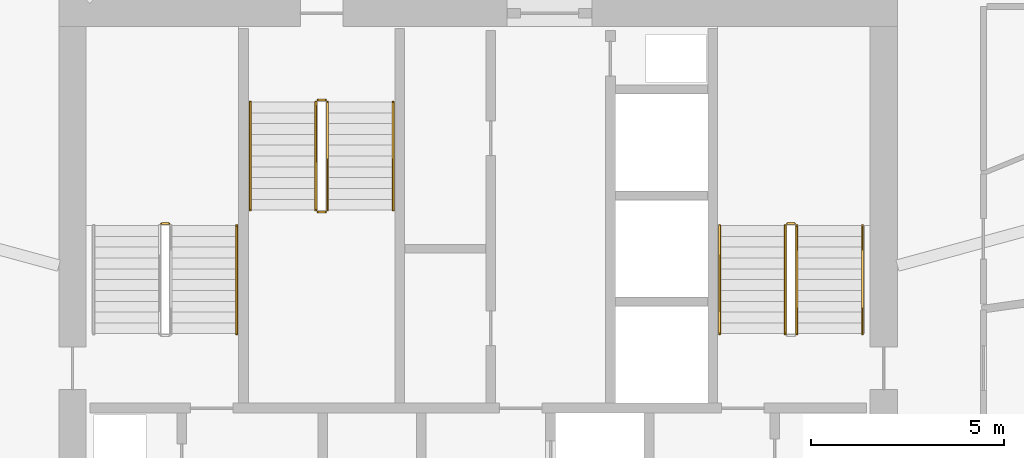
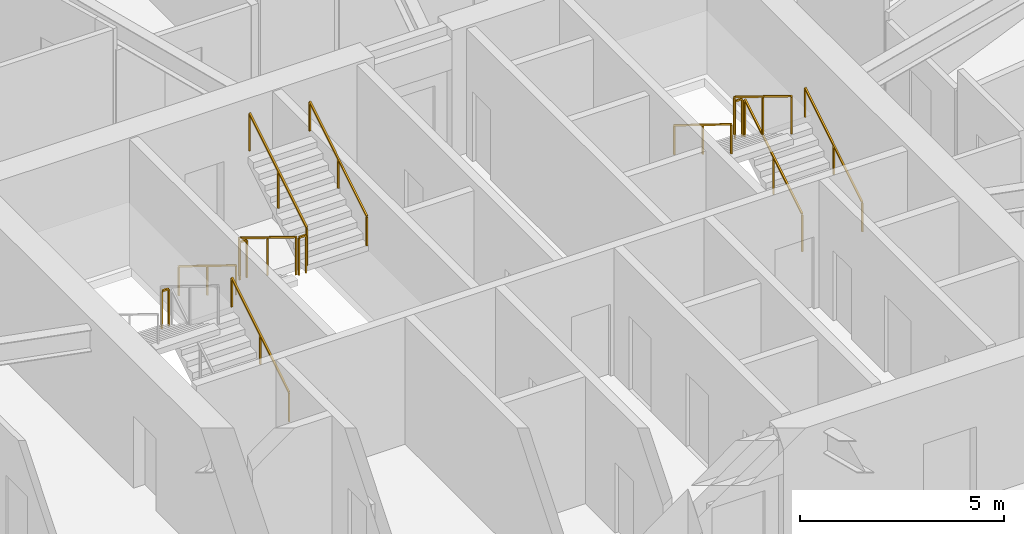
# One storey, part 28 of 28: 13 railings.
"""IFC4 building model written with IfcOpenShell, lengths in metres."""

import ifcopenshell
import ifcopenshell.guid

model = None  # the IFC model being written
_history = None  # IfcOwnerHistory: only IFC2X3 demands one
_inside = {}  # id of a spatial element -> (the spatial element, [elements in it])
_under = {}  # id of a project, library or spatial element -> (it, [spatial elements below it])
_declared = {}  # id of a project -> (the project, [libraries it declares])
_typed = {}  # id of a type object -> (the type object, [elements of that type])
_made_of = {}  # id of a material, layer set ... -> (it, [elements and type objects made of it])


def new_model(schema):
    """Start an empty IFC model of exactly this schema.

    Asked for "IFC4X3", IfcOpenShell would pick the latest addendum, in which some entities
    have other attributes; the version numbers below select the first issue.
    IFC2X3 requires an IfcOwnerHistory on every rooted entity: one is made here for all.
    """
    global model, _history
    if schema == "IFC4X3":
        model = ifcopenshell.file(schema_version=(4, 3, 0, 0))
    else:
        model = ifcopenshell.file(schema=schema)
    _inside.clear()
    _under.clear()
    _declared.clear()
    _typed.clear()
    _made_of.clear()
    _history = None
    if model.schema == "IFC2X3":
        org = make("IfcOrganization", Name="unknown")
        user = make(
            "IfcPersonAndOrganization",
            ThePerson=make("IfcPerson", FamilyName="unknown"),
            TheOrganization=org,
        )
        app = make(
            "IfcApplication",
            ApplicationDeveloper=org,
            Version="unknown",
            ApplicationFullName="unknown",
            ApplicationIdentifier="unknown",
        )
        _history = make(
            "IfcOwnerHistory",
            OwningUser=user,
            OwningApplication=app,
            ChangeAction="ADDED",
            CreationDate=0,
        )
    return model


def make(cls, **values):
    """One entity of the class cls with the attributes given. An attribute that is None is left unset."""
    return model.create_entity(
        cls, **{name: value for name, value in values.items() if value is not None}
    )


def rooted(cls, **values):
    """An entity with a GlobalId (a new one), such as an element, a storey or a relation."""
    return make(cls, GlobalId=ifcopenshell.guid.new(), OwnerHistory=_history, **values)


def si_unit(unit_type, name, prefix=None):
    """IfcSIUnit, for example si_unit("LENGTHUNIT", "METRE", prefix="MILLI")."""
    return make("IfcSIUnit", UnitType=unit_type, Prefix=prefix, Name=name)


def assignment(units):
    """IfcUnitAssignment: the units of a project."""
    return None if units is None else make("IfcUnitAssignment", Units=units)


def point(xyz):
    """IfcCartesianPoint."""
    return None if xyz is None else make("IfcCartesianPoint", Coordinates=xyz)


def direction(xyz):
    """IfcDirection."""
    return None if xyz is None else make("IfcDirection", DirectionRatios=xyz)


def frame(location, z_axis=None, x_axis=None):
    """IfcAxis2Placement3D, a coordinate frame: its origin and axes. An axis left out is left unset."""
    return make(
        "IfcAxis2Placement3D",
        Location=point(location),
        Axis=direction(z_axis),
        RefDirection=direction(x_axis),
    )


def frame_2d(location, x_axis=None):
    """IfcAxis2Placement2D, a coordinate frame in the plane: its origin and x axis."""
    return make(
        "IfcAxis2Placement2D", Location=point(location), RefDirection=direction(x_axis)
    )


def origin():
    """The frame at (0, 0, 0) with its axes left unset."""
    return frame((0.0, 0.0, 0.0))


def origin_2d():
    """The frame at (0, 0) in the plane with its x axis left unset."""
    return frame_2d((0.0, 0.0))


def place(relative_to, where):
    """IfcLocalPlacement: puts the frame where relative to a parent placement (None: the world)."""
    return make(
        "IfcLocalPlacement", PlacementRelTo=relative_to, RelativePlacement=where
    )


def context(
    kind, dimensions, precision=None, world=None, true_north=None, identifier=None
):
    """IfcGeometricRepresentationContext, for example the 3D "Model" context."""
    return make(
        "IfcGeometricRepresentationContext",
        ContextIdentifier=identifier,
        ContextType=kind,
        CoordinateSpaceDimension=dimensions,
        Precision=precision,
        WorldCoordinateSystem=world,
        TrueNorth=true_north,
    )


def subcontext(parent, identifier, kind, view, scale=None):
    """IfcGeometricRepresentationSubContext, for example "Body" below "Model"."""
    return make(
        "IfcGeometricRepresentationSubContext",
        ContextIdentifier=identifier,
        ContextType=kind,
        ParentContext=parent,
        TargetScale=scale,
        TargetView=view,
    )


def project(units=None, contexts=None):
    """IfcProject with its units and contexts."""
    return rooted(
        "IfcProject",
        Name="project",
        RepresentationContexts=contexts,
        UnitsInContext=assignment(units),
    )


def spatial(cls, under=None, at=None, **own):
    """A site, building, storey or space (cls), placed at a placement, below another one or the project."""
    s = rooted(cls, ObjectPlacement=at, **own)
    if under is not None:
        _under.setdefault(under.id(), (under, []))[1].append(s)
    return s


def profile(cls, at=None, kind="AREA", **sizes):
    """A parametric profile (cls). Its sizes go by their IFC names, for example OverallWidth=200.0."""
    return make(cls, ProfileType=kind, Position=at, **sizes)


def rectangle(**sizes):
    """IfcRectangleProfileDef."""
    return profile("IfcRectangleProfileDef", **sizes)


def extrude(swept, where, along, depth):
    """IfcExtrudedAreaSolid: the profile swept, set in the frame where, extruded along a direction by depth."""
    return make(
        "IfcExtrudedAreaSolid",
        SweptArea=swept,
        Position=where,
        ExtrudedDirection=direction(along),
        Depth=depth,
    )


def shape(context_of_items, identifier, shape_type, items):
    """IfcShapeRepresentation: the items that make up one representation, for example the "Body"."""
    return make(
        "IfcShapeRepresentation",
        ContextOfItems=context_of_items,
        RepresentationIdentifier=identifier,
        RepresentationType=shape_type,
        Items=items,
    )


def material(Name=None, Category=None):
    """IfcMaterial."""
    return make("IfcMaterial", Name=Name, Category=Category)


def made_of(thing, what):
    """Note that an element or type object is made of a material, layer set ...; save() writes the relation."""
    if what is not None:
        _made_of.setdefault(what.id(), (what, []))[1].append(thing)
    return thing


def type_object(cls, material=None, **own):
    """A type object (cls), such as IfcWallType, which elements share."""
    return made_of(rooted(cls, **own), material)


def element(
    cls,
    number,
    at=None,
    inside=None,
    cuts=None,
    type_object=None,
    material=None,
    context=None,
    identifier="Body",
    shape_type=None,
    held_by="IfcProductDefinitionShape",
    body=None,
    shapes=None,
    **own,
):
    """One element of the class cls, such as IfcWall. Its Tag is "e" and its number.

    at: its placement. inside: the storey or other place that contains it. cuts: it is an
    opening in that element (IfcRelVoidsElement). A single representation is given by context,
    identifier, shape_type and body (its items); several are given by shapes. held_by: the class
    of the entity that holds the representations. save() writes the other relations.
    """
    e = rooted(cls, Tag="e%d" % number, ObjectPlacement=at, **own)
    if body is not None:
        shapes = [shape(context, identifier, shape_type, body)]
    if shapes is not None:
        e.Representation = make(held_by, Representations=shapes)
    if inside is not None:
        _inside.setdefault(inside.id(), (inside, []))[1].append(e)
    if cuts is not None:
        rooted(
            "IfcRelVoidsElement", RelatingBuildingElement=cuts, RelatedOpeningElement=e
        )
    if type_object is not None:
        _typed.setdefault(type_object.id(), (type_object, []))[1].append(e)
    return made_of(e, material)


def aggregate(whole, parts):
    """IfcRelAggregates: a whole, such as a stair, and the parts it consists of."""
    return rooted("IfcRelAggregates", RelatingObject=whole, RelatedObjects=parts)


def save(model, path):
    """Write the relations noted so far, then the file.

    IfcRelAggregates (storeys below a building ...), IfcRelContainedInSpatialStructure (elements
    in a storey), IfcRelDefinesByType, IfcRelAssociatesMaterial and IfcRelDeclares: one each for
    every whole, place, type object, material and project.
    """
    for whole, parts in _under.values():
        aggregate(whole, parts)
    for where, things in _inside.values():
        rooted(
            "IfcRelContainedInSpatialStructure",
            RelatedElements=things,
            RelatingStructure=where,
        )
    for kind, things in _typed.values():
        rooted("IfcRelDefinesByType", RelatedObjects=things, RelatingType=kind)
    for what, things in _made_of.values():
        rooted("IfcRelAssociatesMaterial", RelatedObjects=things, RelatingMaterial=what)
    for by, libraries in _declared.values():
        rooted("IfcRelDeclares", RelatingContext=by, RelatedDefinitions=libraries)
    model.write(path)


model = new_model("IFC4")

# Units and contexts
model_context = context("Model", 3, precision=1e-05, world=origin(), true_north=direction((0.0, 1.0)))
body_context = subcontext(model_context, "Body", "Model", "MODEL_VIEW")
ifc_project = project(units=[si_unit("LENGTHUNIT", "METRE"), si_unit("AREAUNIT", "SQUARE_METRE"), si_unit("VOLUMEUNIT", "CUBIC_METRE"), si_unit("PLANEANGLEUNIT", "RADIAN"), si_unit("MASSUNIT", "GRAM", prefix="KILO")], contexts=[model_context])

# Site, building, storey
site_placement = place(None, origin())
site = spatial("IfcSite", under=ifc_project, at=site_placement, CompositionType="ELEMENT")
building_placement = place(site_placement, origin())
building = spatial("IfcBuilding", under=site, at=building_placement, Name="Zuhravey Tower", CompositionType="ELEMENT")
storey_placement = place(building_placement, frame((0.0, 0.0, 154.199951171875)))
storey = spatial("IfcBuildingStorey", under=building, at=storey_placement, Name="L38", CompositionType="ELEMENT", Elevation=154.199951171875)

# Railings
ifc_material_1 = material(Name="Brushed stainless steel", Category="steel")
railing_type_1 = type_object("IfcRailingType", Name="Stair Wall Handrail 900", PredefinedType="HANDRAIL", material=ifc_material_1)
for number, where, name in (
    (1, (29.75, 33.199951171875, 0.1728515625), "L38 ST1 stair handrail 1"),
    (2, (45.949951171875, 33.199951171875, 0.1728515625), "L38 ST2 stair handrail 1"),
):
    element("IfcRailing", number, at=place(storey_placement, frame(where)), inside=storey, type_object=railing_type_1, Name=name, PredefinedType="HANDRAIL", context=body_context, shape_type="SweptSolid", body=[
        extrude(rectangle(XDim=0.048095703125, YDim=0.048095703125, at=origin_2d()), frame((0.0, 0.001708984375, 0.876953125), z_axis=(0.0, 0.851089632645, 0.525020415988), x_axis=(-1.0, 0.0, 0.0)), (0.0, 0.0, 1.0), 3.285888671875),
        extrude(rectangle(XDim=0.0419921875, YDim=0.0419921875, at=origin_2d()), origin(), (0.0, 0.0, 1.0), 0.849853515625),
        extrude(rectangle(XDim=0.0419921875, YDim=0.0419921875, at=origin_2d()), frame((0.0, 1.39990234375, 0.86376953125)), (0.0, 0.0, 1.0), 0.849853515625),
        extrude(rectangle(XDim=0.0419921875, YDim=0.0419921875, at=origin_2d()), frame((0.0, 2.800048828125, 1.727294921875)), (0.0, 0.0, 1.0), 0.849853515625),
    ])
for number, where, name in (
    (3, (42.25, 36.0, 2.07275390625), "L38 ST2 stair handrail 2"),
    (4, (30.10009765625, 39.199951171875, 0.1728515625), "L38 ST3 stair handrail 1"),
):
    element("IfcRailing", number, at=place(storey_placement, frame(where)), inside=storey, type_object=railing_type_1, Name=name, PredefinedType="HANDRAIL", context=body_context, shape_type="SweptSolid", body=[
        extrude(rectangle(XDim=0.048095703125, YDim=0.048095703125, at=origin_2d()), frame((0.0, -0.001708984375, 0.876953125), z_axis=(0.0, -0.851089632645, 0.525020415988), x_axis=(1.0, 0.0, 0.0)), (0.0, 0.0, 1.0), 3.285888671875),
        extrude(rectangle(XDim=0.0419921875, YDim=0.0419921875, at=origin_2d()), origin(), (0.0, 0.0, 1.0), 0.849853515625),
        extrude(rectangle(XDim=0.0419921875, YDim=0.0419921875, at=origin_2d()), frame((0.0, -1.39990234375, 0.86376953125)), (0.0, 0.0, 1.0), 0.849853515625),
        extrude(rectangle(XDim=0.0419921875, YDim=0.0419921875, at=origin_2d()), frame((0.0, -2.800048828125, 1.727294921875)), (0.0, 0.0, 1.0), 0.849853515625),
    ])
railing_1_placement = place(storey_placement, frame((33.800048828125, 36.39990234375, 2.07275390625)))
element("IfcRailing", 5, at=railing_1_placement, inside=storey, type_object=railing_type_1, Name="L38 ST3 stair handrail 2", PredefinedType="HANDRAIL", context=body_context, shape_type="SweptSolid", body=[
    extrude(rectangle(XDim=0.048095703125, YDim=0.048095703125, at=origin_2d()), frame((0.0, 0.001708984375, 0.876953125), z_axis=(0.0, 0.851089632645, 0.525020415988), x_axis=(-1.0, 0.0, 0.0)), (0.0, 0.0, 1.0), 3.285888671875),
    extrude(rectangle(XDim=0.0419921875, YDim=0.0419921875, at=origin_2d()), origin(), (0.0, 0.0, 1.0), 0.849853515625),
    extrude(rectangle(XDim=0.0419921875, YDim=0.0419921875, at=origin_2d()), frame((0.0, 1.39990234375, 0.86376953125)), (0.0, 0.0, 1.0), 0.849853515625),
    extrude(rectangle(XDim=0.0419921875, YDim=0.0419921875, at=origin_2d()), frame((0.0, 2.800048828125, 1.727294921875)), (0.0, 0.0, 1.0), 0.849853515625),
])
ifc_material_2 = material(Name="Painted tubular steel", Category="steel")
railing_type_2 = type_object("IfcRailingType", Name="Stair Well Guardrail 1150", PredefinedType="GUARDRAIL", material=ifc_material_2)
railing_2_placement = place(storey_placement, frame((28.0, 36.050048828125, 1.900146484375)))
element("IfcRailing", 6, at=railing_2_placement, inside=storey, type_object=railing_type_2, Name="L38 ST1 stair guard 2", PredefinedType="GUARDRAIL", context=body_context, shape_type="SweptSolid", body=[
    extrude(rectangle(XDim=0.048095703125, YDim=0.048095703125, at=origin_2d()), frame((-0.001953125, 0.0, 1.1259765625), z_axis=(-1.0, 0.0, 0.0), x_axis=(0.0, -1.0, 0.0)), (0.0, 0.0, 1.0), 0.196044921875),
    extrude(rectangle(XDim=0.0419921875, YDim=0.0419921875, at=origin_2d()), origin(), (0.0, 0.0, 1.0), 1.099853515625),
    extrude(rectangle(XDim=0.0419921875, YDim=0.0419921875, at=origin_2d()), frame((-0.199951171875, 0.0, 0.0)), (0.0, 0.0, 1.0), 1.099853515625),
])
railing_3_placement = place(storey_placement, frame((44.25, 33.199951171875, 0.1728515625)))
element("IfcRailing", 7, at=railing_3_placement, inside=storey, type_object=railing_type_2, Name="L38 ST2 stair guard 1", PredefinedType="GUARDRAIL", context=body_context, shape_type="SweptSolid", body=[
    extrude(rectangle(XDim=0.048095703125, YDim=0.048095703125, at=origin_2d()), frame((0.0, 0.001708984375, 1.126953125), z_axis=(0.0, 0.851089632645, 0.525020415988), x_axis=(-1.0, 0.0, 0.0)), (0.0, 0.0, 1.0), 3.285888671875),
    extrude(rectangle(XDim=0.0419921875, YDim=0.0419921875, at=origin_2d()), origin(), (0.0, 0.0, 1.0), 1.099853515625),
    extrude(rectangle(XDim=0.0419921875, YDim=0.0419921875, at=origin_2d()), frame((0.0, 1.39990234375, 0.86376953125)), (0.0, 0.0, 1.0), 1.099853515625),
    extrude(rectangle(XDim=0.0419921875, YDim=0.0419921875, at=origin_2d()), frame((0.0, 2.800048828125, 1.727294921875)), (0.0, 0.0, 1.0), 1.099853515625),
])
railing_4_placement = place(storey_placement, frame((44.199951171875, 36.050048828125, 1.900146484375)))
element("IfcRailing", 8, at=railing_4_placement, inside=storey, type_object=railing_type_2, Name="L38 ST2 stair guard 2", PredefinedType="GUARDRAIL", context=body_context, shape_type="SweptSolid", body=[
    extrude(rectangle(XDim=0.048095703125, YDim=0.048095703125, at=origin_2d()), frame((-0.001953125, 0.0, 1.1259765625), z_axis=(-1.0, 0.0, 0.0), x_axis=(0.0, -1.0, 0.0)), (0.0, 0.0, 1.0), 0.196044921875),
    extrude(rectangle(XDim=0.0419921875, YDim=0.0419921875, at=origin_2d()), origin(), (0.0, 0.0, 1.0), 1.099853515625),
    extrude(rectangle(XDim=0.0419921875, YDim=0.0419921875, at=origin_2d()), frame((-0.199951171875, 0.0, 0.0)), (0.0, 0.0, 1.0), 1.099853515625),
])
for number, where, name in (
    (9, (43.949951171875, 36.0, 2.07275390625), "L38 ST2 stair guard 3"),
    (10, (31.800048828125, 39.199951171875, 0.1728515625), "L38 ST3 stair guard 1"),
):
    element("IfcRailing", number, at=place(storey_placement, frame(where)), inside=storey, type_object=railing_type_2, Name=name, PredefinedType="GUARDRAIL", context=body_context, shape_type="SweptSolid", body=[
        extrude(rectangle(XDim=0.048095703125, YDim=0.048095703125, at=origin_2d()), frame((0.0, -0.001708984375, 1.126953125), z_axis=(0.0, -0.851089632645, 0.525020415988), x_axis=(1.0, 0.0, 0.0)), (0.0, 0.0, 1.0), 3.285888671875),
        extrude(rectangle(XDim=0.0419921875, YDim=0.0419921875, at=origin_2d()), origin(), (0.0, 0.0, 1.0), 1.099853515625),
        extrude(rectangle(XDim=0.0419921875, YDim=0.0419921875, at=origin_2d()), frame((0.0, -1.39990234375, 0.86376953125)), (0.0, 0.0, 1.0), 1.099853515625),
        extrude(rectangle(XDim=0.0419921875, YDim=0.0419921875, at=origin_2d()), frame((0.0, -2.800048828125, 1.727294921875)), (0.0, 0.0, 1.0), 1.099853515625),
    ])
railing_5_placement = place(storey_placement, frame((31.85009765625, 36.35009765625, 1.900146484375)))
element("IfcRailing", 11, at=railing_5_placement, inside=storey, type_object=railing_type_2, Name="L38 ST3 stair guard 2", PredefinedType="GUARDRAIL", context=body_context, shape_type="SweptSolid", body=[
    extrude(rectangle(XDim=0.048095703125, YDim=0.048095703125, at=origin_2d()), frame((0.001953125, 0.0, 1.1259765625), z_axis=(1.0, 0.0, 0.0), x_axis=(0.0, 1.0, 0.0)), (0.0, 0.0, 1.0), 0.196044921875),
    extrude(rectangle(XDim=0.0419921875, YDim=0.0419921875, at=origin_2d()), origin(), (0.0, 0.0, 1.0), 1.099853515625),
    extrude(rectangle(XDim=0.0419921875, YDim=0.0419921875, at=origin_2d()), frame((0.199951171875, 0.0, 0.0)), (0.0, 0.0, 1.0), 1.099853515625),
])
railing_6_placement = place(storey_placement, frame((32.10009765625, 36.39990234375, 2.07275390625)))
element("IfcRailing", 12, at=railing_6_placement, inside=storey, type_object=railing_type_2, Name="L38 ST3 stair guard 3", PredefinedType="GUARDRAIL", context=body_context, shape_type="SweptSolid", body=[
    extrude(rectangle(XDim=0.048095703125, YDim=0.048095703125, at=origin_2d()), frame((0.0, 0.001708984375, 1.126953125), z_axis=(0.0, 0.851089632645, 0.525020415988), x_axis=(-1.0, 0.0, 0.0)), (0.0, 0.0, 1.0), 3.285888671875),
    extrude(rectangle(XDim=0.0419921875, YDim=0.0419921875, at=origin_2d()), origin(), (0.0, 0.0, 1.0), 1.099853515625),
    extrude(rectangle(XDim=0.0419921875, YDim=0.0419921875, at=origin_2d()), frame((0.0, 1.39990234375, 0.86376953125)), (0.0, 0.0, 1.0), 1.099853515625),
    extrude(rectangle(XDim=0.0419921875, YDim=0.0419921875, at=origin_2d()), frame((0.0, 2.800048828125, 1.727294921875)), (0.0, 0.0, 1.0), 1.099853515625),
])
railing_7_placement = place(storey_placement, frame((31.85009765625, 39.25, 0.0)))
element("IfcRailing", 13, at=railing_7_placement, inside=storey, type_object=railing_type_2, Name="L38 ST3 stair guard 4", PredefinedType="GUARDRAIL", context=body_context, shape_type="SweptSolid", body=[
    extrude(rectangle(XDim=0.048095703125, YDim=0.048095703125, at=origin_2d()), frame((0.001953125, 0.0, 1.1259765625), z_axis=(1.0, 0.0, 0.0), x_axis=(0.0, 1.0, 0.0)), (0.0, 0.0, 1.0), 0.196044921875),
    extrude(rectangle(XDim=0.0419921875, YDim=0.0419921875, at=origin_2d()), origin(), (0.0, 0.0, 1.0), 1.099853515625),
    extrude(rectangle(XDim=0.0419921875, YDim=0.0419921875, at=origin_2d()), frame((0.199951171875, 0.0, 0.0)), (0.0, 0.0, 1.0), 1.099853515625),
])

save(model, "model.ifc")
